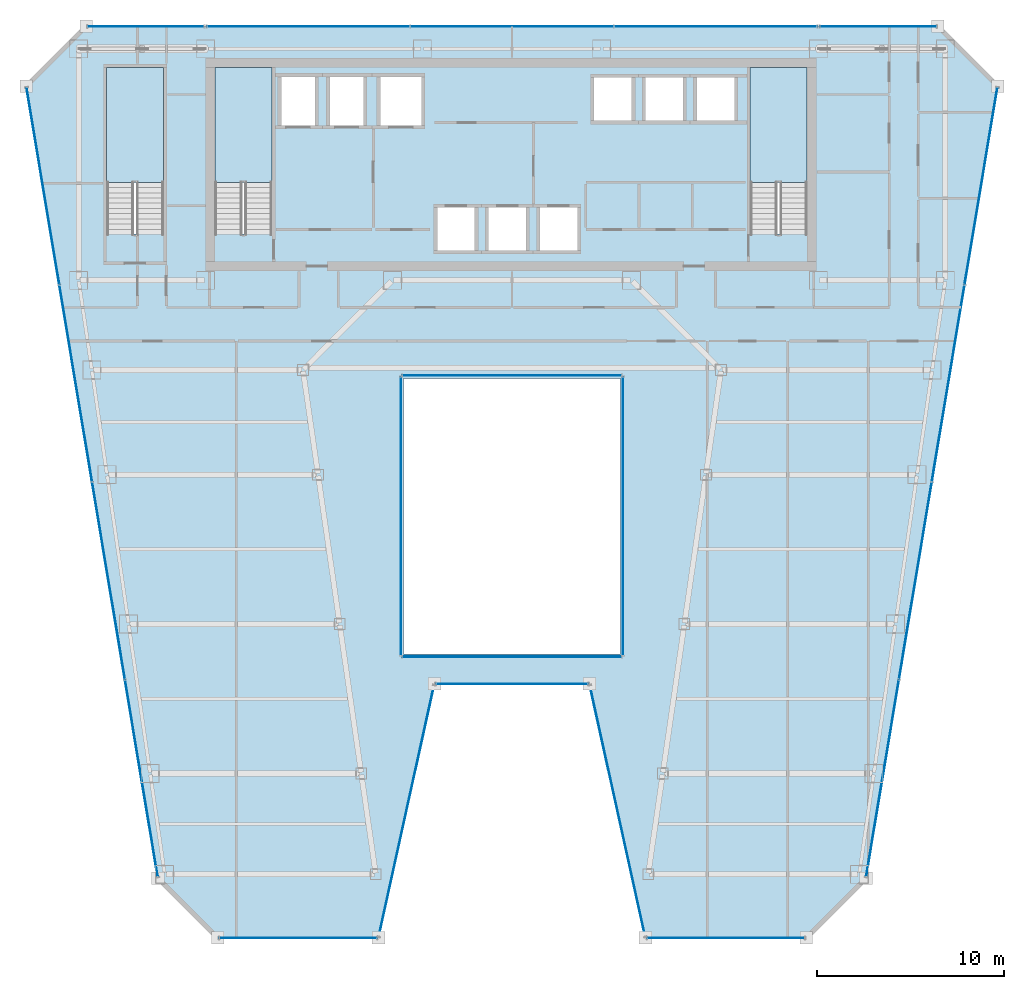
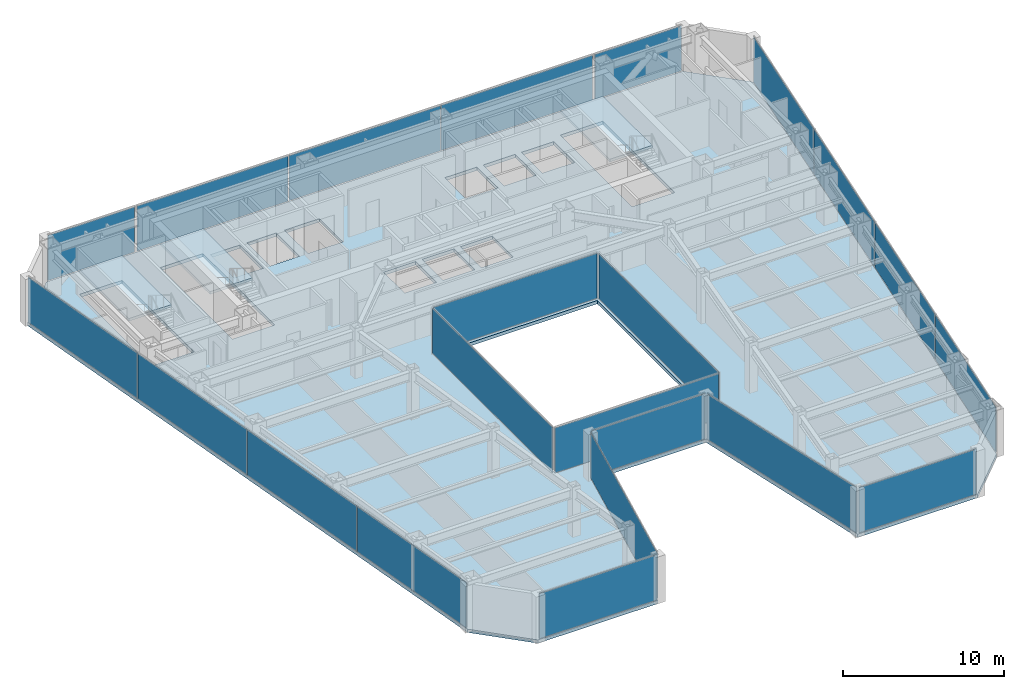
# One storey, part 29 of 37: 22 plates, 4 slabs, 17 elements without a shape of their own.
"""IFC4 building model written with IfcOpenShell, lengths in metres."""

from ifc_helpers import new_model, si_unit, direction, frame, origin, origin_2d, place, context, subcontext, project, spatial, polyline, rectangle, outline, extrude, material, layer, layer_set, type_object, element, aggregate, save


model = new_model("IFC4")

# Units and contexts
model_context = context("Model", 3, precision=1e-05, world=origin(), true_north=direction((0.0, 1.0)))
body_context = subcontext(model_context, "Body", "Model", "MODEL_VIEW")
ifc_project = project(units=[si_unit("LENGTHUNIT", "METRE"), si_unit("AREAUNIT", "SQUARE_METRE"), si_unit("VOLUMEUNIT", "CUBIC_METRE"), si_unit("PLANEANGLEUNIT", "RADIAN"), si_unit("MASSUNIT", "GRAM", prefix="KILO")], contexts=[model_context])

# Site, building, storey
site_placement = place(None, origin())
site = spatial("IfcSite", under=ifc_project, at=site_placement, CompositionType="ELEMENT")
building_placement = place(site_placement, origin())
building = spatial("IfcBuilding", under=site, at=building_placement, Name="Saevonmaru Cultural Tower", CompositionType="ELEMENT")
storey_placement = place(building_placement, frame((0.0, 0.0, 144.800048828125)))
storey = spatial("IfcBuildingStorey", under=building, at=storey_placement, Name="L31", CompositionType="ELEMENT", Elevation=144.800048828125)

# Curtain wall, plate
ifc_material_1 = material(Name="Satin Bronze Anodised Aluminium", Category="aluminium")
curtain_wall_type_1 = type_object("IfcCurtainWallType", Name="CW-ATR-GLZ", PredefinedType="NOTDEFINED", material=ifc_material_1)
curtain_wall_1_placement = place(storey_placement, origin())
curtain_wall_1 = element("IfcCurtainWall", 1, at=curtain_wall_1_placement, inside=storey, type_object=curtain_wall_type_1, Name="L31 Vertical Atrium Glazed Smoke Screen 1", PredefinedType="NOTDEFINED")
ifc_material_2 = material(Name="Fire-Rated Laminated Atrium Glass", Category="glass")
ifc_layer_1 = layer(ifc_material_2, 0.031982421875, Name="Fire-Rated Laminated Atrium Glass")
ifc_layer_set_1 = layer_set([ifc_layer_1], Name="Fire-Rated Laminated Atrium Glass")
plate_type_1 = type_object("IfcPlateType", Name="PN-GLZ-ATR-INT", PredefinedType="CURTAIN_PANEL", material=ifc_layer_set_1)
plate_1_placement = place(storey_placement, frame((30.0, 22.25, 0.06689453125), z_axis=(0.0, 0.0, 1.0), x_axis=(1.0, 0.0, 0.0)))
plate_1 = element("IfcPlate", 2, at=plate_1_placement, type_object=plate_type_1, Name="CW-ATR-L31-1 panel 1.1", PredefinedType="CURTAIN_PANEL", context=body_context, shape_type="SweptSolid", body=[
    extrude(rectangle(XDim=11.7109375, YDim=0.031982421875, at=origin_2d()), origin(), (0.0, 0.0, 1.0), 3.416015625),
])
aggregate(curtain_wall_1, [plate_1])

curtain_wall_2_placement = place(storey_placement, origin())
curtain_wall_2 = element("IfcCurtainWall", 3, at=curtain_wall_2_placement, inside=storey, type_object=curtain_wall_type_1, Name="L31 Vertical Atrium Glazed Smoke Screen 2", PredefinedType="NOTDEFINED")
plate_2_placement = place(storey_placement, frame((35.949951171875, 29.780029296875, 0.06689453125), z_axis=(0.0, 0.0, 1.0), x_axis=(0.0, 1.0, 0.0)))
plate_2 = element("IfcPlate", 4, at=plate_2_placement, type_object=plate_type_1, Name="CW-ATR-L31-2 panel 1.1", PredefinedType="CURTAIN_PANEL", context=body_context, shape_type="SweptSolid", body=[
    extrude(rectangle(XDim=14.87109375, YDim=0.031982421875, at=origin_2d()), origin(), (0.0, 0.0, 1.0), 3.416015625),
])
aggregate(curtain_wall_2, [plate_2])

curtain_wall_3_placement = place(storey_placement, origin())
curtain_wall_3 = element("IfcCurtainWall", 5, at=curtain_wall_3_placement, inside=storey, type_object=curtain_wall_type_1, Name="L31 Vertical Atrium Glazed Smoke Screen 3", PredefinedType="NOTDEFINED")
plate_3_placement = place(storey_placement, frame((30.0, 37.31005859375, 0.06689453125), z_axis=(0.0, 0.0, 1.0), x_axis=(-1.0, 0.0, 0.0)))
plate_3 = element("IfcPlate", 6, at=plate_3_placement, type_object=plate_type_1, Name="CW-ATR-L31-3 panel 1.1", PredefinedType="CURTAIN_PANEL", context=body_context, shape_type="SweptSolid", body=[
    extrude(rectangle(XDim=11.7109375, YDim=0.031982421875, at=origin_2d()), origin(), (0.0, 0.0, 1.0), 3.416015625),
])
aggregate(curtain_wall_3, [plate_3])

curtain_wall_4_placement = place(storey_placement, origin())
curtain_wall_4 = element("IfcCurtainWall", 7, at=curtain_wall_4_placement, inside=storey, type_object=curtain_wall_type_1, Name="L31 Vertical Atrium Glazed Smoke Screen 4", PredefinedType="NOTDEFINED")
plate_4_placement = place(storey_placement, frame((24.050048828125, 29.780029296875, 0.06689453125), z_axis=(0.0, 0.0, 1.0), x_axis=(0.0, -1.0, 0.0)))
plate_4 = element("IfcPlate", 8, at=plate_4_placement, type_object=plate_type_1, Name="CW-ATR-L31-4 panel 1.1", PredefinedType="CURTAIN_PANEL", context=body_context, shape_type="SweptSolid", body=[
    extrude(rectangle(XDim=14.87109375, YDim=0.031982421875, at=origin_2d()), origin(), (0.0, 0.0, 1.0), 3.416015625),
])
aggregate(curtain_wall_4, [plate_4])

curtain_wall_type_2 = type_object("IfcCurtainWallType", Name="CW-TYP-A", PredefinedType="NOTDEFINED", material=ifc_material_1)
curtain_wall_5_placement = place(storey_placement, origin())
curtain_wall_5 = element("IfcCurtainWall", 9, at=curtain_wall_5_placement, inside=storey, type_object=curtain_wall_type_2, Name="L31 Unitised Curtain Wall E2", PredefinedType="NOTDEFINED")
ifc_material_3 = material(Name="Triple Silver Low-E Insulating Glass", Category="glass")
ifc_layer_2 = layer(ifc_material_3, 0.035888671875, Name="Triple Silver Low-E Insulating Glass")
ifc_layer_set_2 = layer_set([ifc_layer_2], Name="Triple Silver Low-E Insulating Glass")
plate_type_2 = type_object("IfcPlateType", Name="PN-GLZ-IGU", PredefinedType="CURTAIN_PANEL", material=ifc_layer_set_2)
plate_5_placement = place(storey_placement, frame((18.548828125, 7.199951171875, 0.06689453125), z_axis=(0.0, 0.0, 1.0), x_axis=(1.0, 0.0, 0.0)))
plate_5 = element("IfcPlate", 10, at=plate_5_placement, type_object=plate_type_2, Name="CW-TW-L31-E2 panel 1.1", PredefinedType="CURTAIN_PANEL", context=body_context, shape_type="SweptSolid", body=[
    extrude(rectangle(XDim=8.410888671875, YDim=0.035888671875, at=origin_2d()), origin(), (0.0, 0.0, 1.0), 3.416015625),
])
aggregate(curtain_wall_5, [plate_5])

curtain_wall_6_placement = place(storey_placement, origin())
curtain_wall_6 = element("IfcCurtainWall", 11, at=curtain_wall_6_placement, inside=storey, type_object=curtain_wall_type_2, Name="L31 Unitised Curtain Wall E3", PredefinedType="NOTDEFINED")
plate_6_placement = place(storey_placement, frame((24.348876953125, 14.0, 0.06689453125), z_axis=(0.0, 0.0, 1.0), x_axis=(0.215413319953, 0.976522965212, 0.0)))
plate_6 = element("IfcPlate", 12, at=plate_6_placement, type_object=plate_type_2, Name="CW-TW-L31-E3 panel 1.1", PredefinedType="CURTAIN_PANEL", context=body_context, shape_type="SweptSolid", body=[
    extrude(rectangle(XDim=13.738037109375, YDim=0.035888671875, at=origin_2d()), origin(), (0.0, 0.0, 1.0), 3.416015625),
])
aggregate(curtain_wall_6, [plate_6])

curtain_wall_7_placement = place(storey_placement, origin())
curtain_wall_7 = element("IfcCurtainWall", 13, at=curtain_wall_7_placement, inside=storey, type_object=curtain_wall_type_2, Name="L31 Unitised Curtain Wall E4", PredefinedType="NOTDEFINED")
plate_7_placement = place(storey_placement, frame((30.0, 20.800048828125, 0.06689453125), z_axis=(0.0, 0.0, 1.0), x_axis=(1.0, 0.0, 0.0)))
plate_7 = element("IfcPlate", 14, at=plate_7_placement, type_object=plate_type_2, Name="CW-TW-L31-E4 panel 1.1", PredefinedType="CURTAIN_PANEL", context=body_context, shape_type="SweptSolid", body=[
    extrude(rectangle(XDim=8.11328125, YDim=0.035888671875, at=origin_2d()), origin(), (0.0, 0.0, 1.0), 3.416015625),
])
aggregate(curtain_wall_7, [plate_7])

curtain_wall_8_placement = place(storey_placement, origin())
curtain_wall_8 = element("IfcCurtainWall", 15, at=curtain_wall_8_placement, inside=storey, type_object=curtain_wall_type_2, Name="L31 Unitised Curtain Wall E5", PredefinedType="NOTDEFINED")
plate_8_placement = place(storey_placement, frame((35.651123046875, 14.0, 0.06689453125), z_axis=(0.0, 0.0, 1.0), x_axis=(0.215413319953, -0.976522965212, 0.0)))
plate_8 = element("IfcPlate", 16, at=plate_8_placement, type_object=plate_type_2, Name="CW-TW-L31-E5 panel 1.1", PredefinedType="CURTAIN_PANEL", context=body_context, shape_type="SweptSolid", body=[
    extrude(rectangle(XDim=13.738037109375, YDim=0.035888671875, at=origin_2d()), origin(), (0.0, 0.0, 1.0), 3.416015625),
])
aggregate(curtain_wall_8, [plate_8])

curtain_wall_9_placement = place(storey_placement, origin())
curtain_wall_9 = element("IfcCurtainWall", 17, at=curtain_wall_9_placement, inside=storey, type_object=curtain_wall_type_2, Name="L31 Unitised Curtain Wall E6", PredefinedType="NOTDEFINED")
plate_9_placement = place(storey_placement, frame((41.451171875, 7.199951171875, 0.06689453125), z_axis=(0.0, 0.0, 1.0), x_axis=(1.0, 0.0, 0.0)))
plate_9 = element("IfcPlate", 18, at=plate_9_placement, type_object=plate_type_2, Name="CW-TW-L31-E6 panel 1.1", PredefinedType="CURTAIN_PANEL", context=body_context, shape_type="SweptSolid", body=[
    extrude(rectangle(XDim=8.410888671875, YDim=0.035888671875, at=origin_2d()), origin(), (0.0, 0.0, 1.0), 3.416015625),
])
aggregate(curtain_wall_9, [plate_9])

# Curtain wall, plates
curtain_wall_10_placement = place(storey_placement, origin())
curtain_wall_10 = element("IfcCurtainWall", 19, at=curtain_wall_10_placement, inside=storey, type_object=curtain_wall_type_2, Name="L31 Unitised Curtain Wall E8", PredefinedType="NOTDEFINED")
plate_10_placement = place(storey_placement, frame((49.839599609375, 15.744384765625, 0.06689453125), z_axis=(0.0, 0.0, 1.0), x_axis=(0.163998702345, 0.986460554523, 0.0)))
plate_10 = element("IfcPlate", 20, at=plate_10_placement, type_object=plate_type_2, Name="CW-TW-L31-E8 panel 1.1", PredefinedType="CURTAIN_PANEL", context=body_context, shape_type="SweptSolid", body=[
    extrude(rectangle(XDim=10.646484375, YDim=0.035888671875, at=origin_2d()), origin(), (0.0, 0.0, 1.0), 3.416015625),
])
plate_11_placement = place(storey_placement, frame((51.596923828125, 26.314697265625, 0.06689453125), z_axis=(0.0, 0.0, 1.0), x_axis=(0.163998702345, 0.986460554523, 0.0)))
plate_11 = element("IfcPlate", 21, at=plate_11_placement, type_object=plate_type_2, Name="CW-TW-L31-E8 panel 2.1", PredefinedType="CURTAIN_PANEL", context=body_context, shape_type="SweptSolid", body=[
    extrude(rectangle(XDim=10.646484375, YDim=0.035888671875, at=origin_2d()), origin(), (0.0, 0.0, 1.0), 3.416015625),
])
plate_12_placement = place(storey_placement, frame((53.354248046875, 36.88525390625, 0.06689453125), z_axis=(0.0, 0.0, 1.0), x_axis=(0.163998702345, 0.986460554523, 0.0)))
plate_12 = element("IfcPlate", 22, at=plate_12_placement, type_object=plate_type_2, Name="CW-TW-L31-E8 panel 3.1", PredefinedType="CURTAIN_PANEL", context=body_context, shape_type="SweptSolid", body=[
    extrude(rectangle(XDim=10.646484375, YDim=0.035888671875, at=origin_2d()), origin(), (0.0, 0.0, 1.0), 3.416015625),
])
plate_13_placement = place(storey_placement, frame((55.111572265625, 47.45556640625, 0.06689453125), z_axis=(0.0, 0.0, 1.0), x_axis=(0.163998702345, 0.986460554523, 0.0)))
plate_13 = element("IfcPlate", 23, at=plate_13_placement, type_object=plate_type_2, Name="CW-TW-L31-E8 panel 4.1", PredefinedType="CURTAIN_PANEL", context=body_context, shape_type="SweptSolid", body=[
    extrude(rectangle(XDim=10.646484375, YDim=0.035888671875, at=origin_2d()), origin(), (0.0, 0.0, 1.0), 3.416015625),
])
aggregate(curtain_wall_10, [plate_10, plate_11, plate_12, plate_13])

curtain_wall_11_placement = place(storey_placement, origin())
curtain_wall_11 = element("IfcCurtainWall", 24, at=curtain_wall_11_placement, inside=storey, type_object=curtain_wall_type_2, Name="L31 North Spine Unitised Curtain Wall E10B", PredefinedType="NOTDEFINED")
plate_14_placement = place(storey_placement, frame((40.893310546875, 56.0, 0.06689453125), z_axis=(0.0, 0.0, 1.0), x_axis=(-1.0, 0.0, 0.0)))
plate_14 = element("IfcPlate", 25, at=plate_14_placement, type_object=plate_type_2, Name="CW-TW-L31-E10B panel 1.1", PredefinedType="CURTAIN_PANEL", context=body_context, shape_type="SweptSolid", body=[
    extrude(rectangle(XDim=10.82421875, YDim=0.035888671875, at=origin_2d()), origin(), (0.0, 0.0, 1.0), 3.416015625),
])
plate_15_placement = place(storey_placement, frame((30.0, 56.0, 0.06689453125), z_axis=(0.0, 0.0, 1.0), x_axis=(-1.0, 0.0, 0.0)))
plate_15 = element("IfcPlate", 26, at=plate_15_placement, type_object=plate_type_2, Name="CW-TW-L31-E10B panel 2.1", PredefinedType="CURTAIN_PANEL", context=body_context, shape_type="SweptSolid", body=[
    extrude(rectangle(XDim=10.82421875, YDim=0.035888671875, at=origin_2d()), origin(), (0.0, 0.0, 1.0), 3.416015625),
])
plate_16_placement = place(storey_placement, frame((19.106689453125, 56.0, 0.06689453125), z_axis=(0.0, 0.0, 1.0), x_axis=(-1.0, 0.0, 0.0)))
plate_16 = element("IfcPlate", 27, at=plate_16_placement, type_object=plate_type_2, Name="CW-TW-L31-E10B panel 3.1", PredefinedType="CURTAIN_PANEL", context=body_context, shape_type="SweptSolid", body=[
    extrude(rectangle(XDim=10.82421875, YDim=0.035888671875, at=origin_2d()), origin(), (0.0, 0.0, 1.0), 3.416015625),
])
aggregate(curtain_wall_11, [plate_14, plate_15, plate_16])

curtain_wall_12_placement = place(storey_placement, origin())
curtain_wall_12 = element("IfcCurtainWall", 28, at=curtain_wall_12_placement, inside=storey, type_object=curtain_wall_type_2, Name="L31 Unitised Curtain Wall E12", PredefinedType="NOTDEFINED")
plate_17_placement = place(storey_placement, frame((4.888427734375, 47.45556640625, 0.06689453125), z_axis=(0.0, 0.0, 1.0), x_axis=(0.163998702345, -0.986460554523, 0.0)))
plate_17 = element("IfcPlate", 29, at=plate_17_placement, type_object=plate_type_2, Name="CW-TW-L31-E12 panel 1.1", PredefinedType="CURTAIN_PANEL", context=body_context, shape_type="SweptSolid", body=[
    extrude(rectangle(XDim=10.646484375, YDim=0.035888671875, at=origin_2d()), origin(), (0.0, 0.0, 1.0), 3.416015625),
])
plate_18_placement = place(storey_placement, frame((6.645751953125, 36.88525390625, 0.06689453125), z_axis=(0.0, 0.0, 1.0), x_axis=(0.163998702345, -0.986460554523, 0.0)))
plate_18 = element("IfcPlate", 30, at=plate_18_placement, type_object=plate_type_2, Name="CW-TW-L31-E12 panel 2.1", PredefinedType="CURTAIN_PANEL", context=body_context, shape_type="SweptSolid", body=[
    extrude(rectangle(XDim=10.646484375, YDim=0.035888671875, at=origin_2d()), origin(), (0.0, 0.0, 1.0), 3.416015625),
])
plate_19_placement = place(storey_placement, frame((8.403076171875, 26.314697265625, 0.06689453125), z_axis=(0.0, 0.0, 1.0), x_axis=(0.163998702345, -0.986460554523, 0.0)))
plate_19 = element("IfcPlate", 31, at=plate_19_placement, type_object=plate_type_2, Name="CW-TW-L31-E12 panel 3.1", PredefinedType="CURTAIN_PANEL", context=body_context, shape_type="SweptSolid", body=[
    extrude(rectangle(XDim=10.646484375, YDim=0.035888671875, at=origin_2d()), origin(), (0.0, 0.0, 1.0), 3.416015625),
])
plate_20_placement = place(storey_placement, frame((10.160400390625, 15.744384765625, 0.06689453125), z_axis=(0.0, 0.0, 1.0), x_axis=(0.163998702345, -0.986460554523, 0.0)))
plate_20 = element("IfcPlate", 32, at=plate_20_placement, type_object=plate_type_2, Name="CW-TW-L31-E12 panel 4.1", PredefinedType="CURTAIN_PANEL", context=body_context, shape_type="SweptSolid", body=[
    extrude(rectangle(XDim=10.646484375, YDim=0.035888671875, at=origin_2d()), origin(), (0.0, 0.0, 1.0), 3.416015625),
])
aggregate(curtain_wall_12, [plate_17, plate_18, plate_19, plate_20])

# Curtain wall, plate
curtain_wall_13_placement = place(storey_placement, origin())
curtain_wall_13 = element("IfcCurtainWall", 33, at=curtain_wall_13_placement, inside=storey, type_object=curtain_wall_type_2, Name="L31 East Braced Bay Spandrel Curtain Wall E10A", PredefinedType="NOTDEFINED")
ifc_material_4 = material(Name="Insulated Satin Bronze Aluminium Spandrel Panel", Category="aluminium")
ifc_layer_3 = layer(ifc_material_4, 0.0400390625, Name="Insulated Satin Bronze Aluminium Spandrel Panel")
ifc_layer_set_3 = layer_set([ifc_layer_3], Name="Insulated Satin Bronze Aluminium Spandrel Panel")
plate_type_3 = type_object("IfcPlateType", Name="PN-SPANDREL-BRONZE", PredefinedType="CURTAIN_PANEL", material=ifc_layer_set_3)
plate_21_placement = place(storey_placement, frame((49.60009765625, 56.0, 0.06689453125), z_axis=(0.0, 0.0, 1.0), x_axis=(-1.0, 0.0, 0.0)))
plate_21 = element("IfcPlate", 34, at=plate_21_placement, type_object=plate_type_3, Name="CW-TW-L31-E10A panel 1.1", PredefinedType="CURTAIN_PANEL", context=body_context, shape_type="SweptSolid", body=[
    extrude(rectangle(XDim=6.2109375, YDim=0.035888671875, at=origin_2d()), origin(), (0.0, 0.0, 1.0), 3.416015625),
])
aggregate(curtain_wall_13, [plate_21])

curtain_wall_14_placement = place(storey_placement, origin())
curtain_wall_14 = element("IfcCurtainWall", 35, at=curtain_wall_14_placement, inside=storey, type_object=curtain_wall_type_2, Name="L31 West Braced Bay Spandrel Curtain Wall E10C", PredefinedType="NOTDEFINED")
plate_22_placement = place(storey_placement, frame((10.39990234375, 56.0, 0.06689453125), z_axis=(0.0, 0.0, 1.0), x_axis=(-1.0, 0.0, 0.0)))
plate_22 = element("IfcPlate", 36, at=plate_22_placement, type_object=plate_type_3, Name="CW-TW-L31-E10C panel 1.1", PredefinedType="CURTAIN_PANEL", context=body_context, shape_type="SweptSolid", body=[
    extrude(rectangle(XDim=6.2109375, YDim=0.035888671875, at=origin_2d()), origin(), (0.0, 0.0, 1.0), 3.416015625),
])
aggregate(curtain_wall_14, [plate_22])

# Slab
ifc_material_5 = material(Name="Concrete C40/50", Category="concrete")
ifc_layer_4 = layer(ifc_material_5, 0.25, Name="Concrete C40/50")
ifc_layer_set_4 = layer_set([ifc_layer_4], Name="Concrete C40/50")
slab_type_1 = type_object("IfcSlabType", Name="SL-FLR-250", PredefinedType="FLOOR", material=ifc_layer_set_4)
slab_1_placement = place(storey_placement, frame((0.0, 0.0, -0.25)))
element("IfcSlab", 37, at=slab_1_placement, inside=storey, type_object=slab_type_1, Name="L31 Tower Structural Floor Slab", PredefinedType="FLOOR", context=body_context, shape_type="SweptSolid", body=[
    extrude(outline(polyline([(11.048828125, 10.39990234375), (14.248779296875, 7.199951171875), (22.848876953125, 7.199951171875), (25.848876953125, 20.800048828125), (34.151123046875, 20.800048828125), (37.151123046875, 7.199951171875), (45.751220703125, 7.199951171875), (48.951171875, 10.39990234375), (56.0, 52.800048828125), (52.800048828125, 56.0), (7.199951171875, 56.0), (4.0, 52.800048828125), (11.048828125, 10.39990234375)]), holes=[polyline([(45.800048828125, 44.875), (42.75, 44.875), (42.75, 53.800048828125), (45.800048828125, 53.800048828125), (45.800048828125, 44.875)]), polyline([(39.75, 50.800048828125), (39.75, 53.39990234375), (42.050048828125, 53.39990234375), (42.050048828125, 50.800048828125), (39.75, 50.800048828125)]), polyline([(37.0, 50.800048828125), (37.0, 53.39990234375), (39.300048828125, 53.39990234375), (39.300048828125, 50.800048828125), (37.0, 50.800048828125)]), polyline([(34.25, 50.800048828125), (34.25, 53.39990234375), (36.550048828125, 53.39990234375), (36.550048828125, 50.800048828125), (34.25, 50.800048828125)]), polyline([(24.199951171875, 22.39990234375), (24.199951171875, 37.159912109375), (35.800048828125, 37.159912109375), (35.800048828125, 22.39990234375), (24.199951171875, 22.39990234375)]), polyline([(31.35009765625, 43.85009765625), (31.35009765625, 46.449951171875), (33.64990234375, 46.449951171875), (33.64990234375, 43.85009765625), (31.35009765625, 43.85009765625)]), polyline([(28.60009765625, 43.85009765625), (28.60009765625, 46.449951171875), (30.89990234375, 46.449951171875), (30.89990234375, 43.85009765625), (28.60009765625, 43.85009765625)]), polyline([(28.14990234375, 43.85009765625), (25.85009765625, 43.85009765625), (25.85009765625, 46.449951171875), (28.14990234375, 46.449951171875), (28.14990234375, 43.85009765625)]), polyline([(25.300048828125, 50.550048828125), (22.800048828125, 50.550048828125), (22.800048828125, 53.449951171875), (25.300048828125, 53.449951171875), (25.300048828125, 50.550048828125)]), polyline([(20.10009765625, 50.550048828125), (20.10009765625, 53.449951171875), (22.199951171875, 53.449951171875), (22.199951171875, 50.550048828125), (20.10009765625, 50.550048828125)]), polyline([(17.5, 50.550048828125), (17.5, 53.449951171875), (19.60009765625, 53.449951171875), (19.60009765625, 50.550048828125), (17.5, 50.550048828125)]), polyline([(17.14990234375, 53.800048828125), (17.14990234375, 44.875), (14.10009765625, 44.875), (14.10009765625, 53.800048828125), (17.14990234375, 53.800048828125)]), polyline([(11.35009765625, 44.875), (8.300048828125, 44.875), (8.300048828125, 53.800048828125), (11.35009765625, 53.800048828125), (11.35009765625, 44.875)])]), origin(), (0.0, 0.0, 1.0), 0.25),
])

# Stair, slab
stair_type = type_object("IfcStairType", Name="STR-DOGLEG-RC", PredefinedType="HALF_TURN_STAIR", material=ifc_material_5)
stair_1_placement = place(storey_placement, origin())
stair_1 = element("IfcStair", 38, at=stair_1_placement, inside=storey, type_object=stair_type, Name="L31 Protected exit stair ST-1", PredefinedType="HALF_TURN_STAIR")
ifc_layer_5 = layer(ifc_material_5, 0.199951171875, Name="Concrete C40/50")
ifc_layer_set_5 = layer_set([ifc_layer_5], Name="Concrete C40/50")
slab_type_2 = type_object("IfcSlabType", Name="SL-STAIR-LANDING", PredefinedType="LANDING", material=ifc_layer_set_5)
slab_2_placement = place(storey_placement, frame((0.0, 0.0, 1.699951171875)))
slab_2 = element("IfcSlab", 39, at=slab_2_placement, type_object=slab_type_2, Name="ST-1-L31 landing 1", PredefinedType="LANDING", context=body_context, shape_type="SweptSolid", body=[
    extrude(outline(polyline([(17.14990234375, 47.64990234375), (17.14990234375, 53.800048828125), (14.10009765625, 53.800048828125), (14.10009765625, 47.64990234375), (17.14990234375, 47.64990234375)])), origin(), (0.0, 0.0, 1.0), 0.199951171875),
])
aggregate(stair_1, [slab_2])

stair_2_placement = place(storey_placement, origin())
stair_2 = element("IfcStair", 40, at=stair_2_placement, inside=storey, type_object=stair_type, Name="L31 Protected exit stair ST-2", PredefinedType="HALF_TURN_STAIR")
slab_3_placement = place(storey_placement, frame((0.0, 0.0, 1.699951171875)))
slab_3 = element("IfcSlab", 41, at=slab_3_placement, type_object=slab_type_2, Name="ST-2-L31 landing 1", PredefinedType="LANDING", context=body_context, shape_type="SweptSolid", body=[
    extrude(outline(polyline([(45.800048828125, 47.64990234375), (45.800048828125, 53.800048828125), (42.75, 53.800048828125), (42.75, 47.64990234375), (45.800048828125, 47.64990234375)])), origin(), (0.0, 0.0, 1.0), 0.199951171875),
])
aggregate(stair_2, [slab_3])

stair_3_placement = place(storey_placement, origin())
stair_3 = element("IfcStair", 42, at=stair_3_placement, inside=storey, type_object=stair_type, Name="L31 Protected exit stair ST-3", PredefinedType="HALF_TURN_STAIR")
slab_4_placement = place(storey_placement, frame((0.0, 0.0, 1.699951171875)))
slab_4 = element("IfcSlab", 43, at=slab_4_placement, type_object=slab_type_2, Name="ST-3-L31 landing 1", PredefinedType="LANDING", context=body_context, shape_type="SweptSolid", body=[
    extrude(outline(polyline([(11.35009765625, 47.64990234375), (11.35009765625, 53.800048828125), (8.300048828125, 53.800048828125), (8.300048828125, 47.64990234375), (11.35009765625, 47.64990234375)])), origin(), (0.0, 0.0, 1.0), 0.199951171875),
])
aggregate(stair_3, [slab_4])

save(model, "model.ifc")
